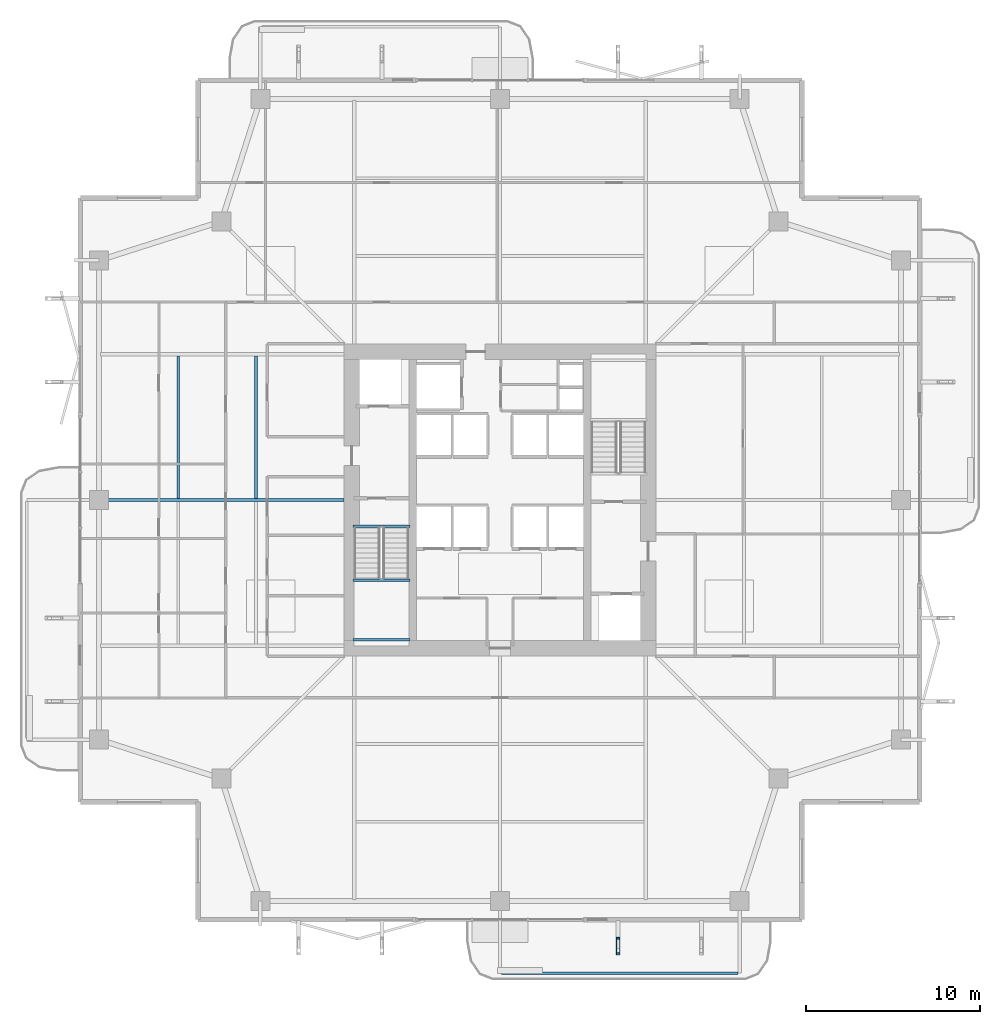
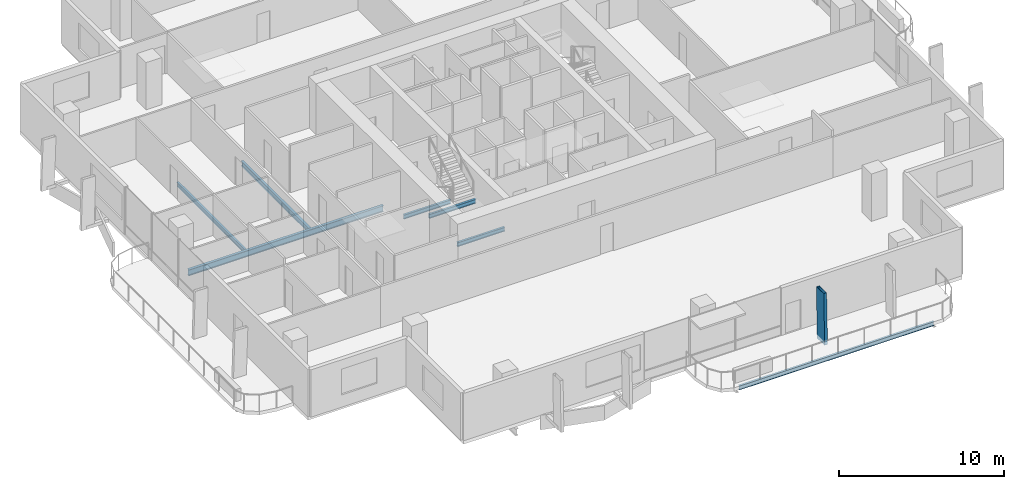
# One storey, part 7 of 25: 7 beams, 1 member.
"""IFC4 building model written with IfcOpenShell, lengths in metres."""

import ifcopenshell
import ifcopenshell.guid

model = None  # the IFC model being written
_history = None  # IfcOwnerHistory: only IFC2X3 demands one
_inside = {}  # id of a spatial element -> (the spatial element, [elements in it])
_under = {}  # id of a project, library or spatial element -> (it, [spatial elements below it])
_declared = {}  # id of a project -> (the project, [libraries it declares])
_typed = {}  # id of a type object -> (the type object, [elements of that type])
_made_of = {}  # id of a material, layer set ... -> (it, [elements and type objects made of it])


def new_model(schema):
    """Start an empty IFC model of exactly this schema.

    Asked for "IFC4X3", IfcOpenShell would pick the latest addendum, in which some entities
    have other attributes; the version numbers below select the first issue.
    IFC2X3 requires an IfcOwnerHistory on every rooted entity: one is made here for all.
    """
    global model, _history
    if schema == "IFC4X3":
        model = ifcopenshell.file(schema_version=(4, 3, 0, 0))
    else:
        model = ifcopenshell.file(schema=schema)
    _inside.clear()
    _under.clear()
    _declared.clear()
    _typed.clear()
    _made_of.clear()
    _history = None
    if model.schema == "IFC2X3":
        org = make("IfcOrganization", Name="unknown")
        user = make(
            "IfcPersonAndOrganization",
            ThePerson=make("IfcPerson", FamilyName="unknown"),
            TheOrganization=org,
        )
        app = make(
            "IfcApplication",
            ApplicationDeveloper=org,
            Version="unknown",
            ApplicationFullName="unknown",
            ApplicationIdentifier="unknown",
        )
        _history = make(
            "IfcOwnerHistory",
            OwningUser=user,
            OwningApplication=app,
            ChangeAction="ADDED",
            CreationDate=0,
        )
    return model


def make(cls, **values):
    """One entity of the class cls with the attributes given. An attribute that is None is left unset."""
    return model.create_entity(
        cls, **{name: value for name, value in values.items() if value is not None}
    )


def rooted(cls, **values):
    """An entity with a GlobalId (a new one), such as an element, a storey or a relation."""
    return make(cls, GlobalId=ifcopenshell.guid.new(), OwnerHistory=_history, **values)


def si_unit(unit_type, name, prefix=None):
    """IfcSIUnit, for example si_unit("LENGTHUNIT", "METRE", prefix="MILLI")."""
    return make("IfcSIUnit", UnitType=unit_type, Prefix=prefix, Name=name)


def assignment(units):
    """IfcUnitAssignment: the units of a project."""
    return None if units is None else make("IfcUnitAssignment", Units=units)


def point(xyz):
    """IfcCartesianPoint."""
    return None if xyz is None else make("IfcCartesianPoint", Coordinates=xyz)


def direction(xyz):
    """IfcDirection."""
    return None if xyz is None else make("IfcDirection", DirectionRatios=xyz)


def frame(location, z_axis=None, x_axis=None):
    """IfcAxis2Placement3D, a coordinate frame: its origin and axes. An axis left out is left unset."""
    return make(
        "IfcAxis2Placement3D",
        Location=point(location),
        Axis=direction(z_axis),
        RefDirection=direction(x_axis),
    )


def frame_2d(location, x_axis=None):
    """IfcAxis2Placement2D, a coordinate frame in the plane: its origin and x axis."""
    return make(
        "IfcAxis2Placement2D", Location=point(location), RefDirection=direction(x_axis)
    )


def origin():
    """The frame at (0, 0, 0) with its axes left unset."""
    return frame((0.0, 0.0, 0.0))


def origin_2d():
    """The frame at (0, 0) in the plane with its x axis left unset."""
    return frame_2d((0.0, 0.0))


def place(relative_to, where):
    """IfcLocalPlacement: puts the frame where relative to a parent placement (None: the world)."""
    return make(
        "IfcLocalPlacement", PlacementRelTo=relative_to, RelativePlacement=where
    )


def context(
    kind, dimensions, precision=None, world=None, true_north=None, identifier=None
):
    """IfcGeometricRepresentationContext, for example the 3D "Model" context."""
    return make(
        "IfcGeometricRepresentationContext",
        ContextIdentifier=identifier,
        ContextType=kind,
        CoordinateSpaceDimension=dimensions,
        Precision=precision,
        WorldCoordinateSystem=world,
        TrueNorth=true_north,
    )


def subcontext(parent, identifier, kind, view, scale=None):
    """IfcGeometricRepresentationSubContext, for example "Body" below "Model"."""
    return make(
        "IfcGeometricRepresentationSubContext",
        ContextIdentifier=identifier,
        ContextType=kind,
        ParentContext=parent,
        TargetScale=scale,
        TargetView=view,
    )


def project(units=None, contexts=None):
    """IfcProject with its units and contexts."""
    return rooted(
        "IfcProject",
        Name="project",
        RepresentationContexts=contexts,
        UnitsInContext=assignment(units),
    )


def spatial(cls, under=None, at=None, **own):
    """A site, building, storey or space (cls), placed at a placement, below another one or the project."""
    s = rooted(cls, ObjectPlacement=at, **own)
    if under is not None:
        _under.setdefault(under.id(), (under, []))[1].append(s)
    return s


def profile(cls, at=None, kind="AREA", **sizes):
    """A parametric profile (cls). Its sizes go by their IFC names, for example OverallWidth=200.0."""
    return make(cls, ProfileType=kind, Position=at, **sizes)


def hollow_rectangle(**sizes):
    """IfcRectangleHollowProfileDef."""
    return profile("IfcRectangleHollowProfileDef", **sizes)


def i_section(**sizes):
    """IfcIShapeProfileDef."""
    return profile("IfcIShapeProfileDef", **sizes)


def extrude(swept, where, along, depth):
    """IfcExtrudedAreaSolid: the profile swept, set in the frame where, extruded along a direction by depth."""
    return make(
        "IfcExtrudedAreaSolid",
        SweptArea=swept,
        Position=where,
        ExtrudedDirection=direction(along),
        Depth=depth,
    )


def shape(context_of_items, identifier, shape_type, items):
    """IfcShapeRepresentation: the items that make up one representation, for example the "Body"."""
    return make(
        "IfcShapeRepresentation",
        ContextOfItems=context_of_items,
        RepresentationIdentifier=identifier,
        RepresentationType=shape_type,
        Items=items,
    )


def material(Name=None, Category=None):
    """IfcMaterial."""
    return make("IfcMaterial", Name=Name, Category=Category)


def material_profile(
    of_material, cross_section, Name=None, Category=None, Priority=None
):
    """IfcMaterialProfile: a cross section and its material."""
    return make(
        "IfcMaterialProfile",
        Name=Name,
        Material=of_material,
        Profile=cross_section,
        Priority=Priority,
        Category=Category,
    )


def profile_set(profiles, Name=None, composite=None):
    """IfcMaterialProfileSet."""
    return make(
        "IfcMaterialProfileSet",
        Name=Name,
        MaterialProfiles=profiles,
        CompositeProfile=composite,
    )


def made_of(thing, what):
    """Note that an element or type object is made of a material, layer set ...; save() writes the relation."""
    if what is not None:
        _made_of.setdefault(what.id(), (what, []))[1].append(thing)
    return thing


def type_object(cls, material=None, **own):
    """A type object (cls), such as IfcWallType, which elements share."""
    return made_of(rooted(cls, **own), material)


def element(
    cls,
    number,
    at=None,
    inside=None,
    cuts=None,
    type_object=None,
    material=None,
    context=None,
    identifier="Body",
    shape_type=None,
    held_by="IfcProductDefinitionShape",
    body=None,
    shapes=None,
    **own,
):
    """One element of the class cls, such as IfcWall. Its Tag is "e" and its number.

    at: its placement. inside: the storey or other place that contains it. cuts: it is an
    opening in that element (IfcRelVoidsElement). A single representation is given by context,
    identifier, shape_type and body (its items); several are given by shapes. held_by: the class
    of the entity that holds the representations. save() writes the other relations.
    """
    e = rooted(cls, Tag="e%d" % number, ObjectPlacement=at, **own)
    if body is not None:
        shapes = [shape(context, identifier, shape_type, body)]
    if shapes is not None:
        e.Representation = make(held_by, Representations=shapes)
    if inside is not None:
        _inside.setdefault(inside.id(), (inside, []))[1].append(e)
    if cuts is not None:
        rooted(
            "IfcRelVoidsElement", RelatingBuildingElement=cuts, RelatedOpeningElement=e
        )
    if type_object is not None:
        _typed.setdefault(type_object.id(), (type_object, []))[1].append(e)
    return made_of(e, material)


def aggregate(whole, parts):
    """IfcRelAggregates: a whole, such as a stair, and the parts it consists of."""
    return rooted("IfcRelAggregates", RelatingObject=whole, RelatedObjects=parts)


def save(model, path):
    """Write the relations noted so far, then the file.

    IfcRelAggregates (storeys below a building ...), IfcRelContainedInSpatialStructure (elements
    in a storey), IfcRelDefinesByType, IfcRelAssociatesMaterial and IfcRelDeclares: one each for
    every whole, place, type object, material and project.
    """
    for whole, parts in _under.values():
        aggregate(whole, parts)
    for where, things in _inside.values():
        rooted(
            "IfcRelContainedInSpatialStructure",
            RelatedElements=things,
            RelatingStructure=where,
        )
    for kind, things in _typed.values():
        rooted("IfcRelDefinesByType", RelatedObjects=things, RelatingType=kind)
    for what, things in _made_of.values():
        rooted("IfcRelAssociatesMaterial", RelatedObjects=things, RelatingMaterial=what)
    for by, libraries in _declared.values():
        rooted("IfcRelDeclares", RelatingContext=by, RelatedDefinitions=libraries)
    model.write(path)


model = new_model("IFC4")

# Units and contexts
model_context = context("Model", 3, precision=1e-05, world=origin(), true_north=direction((0.0, 1.0)))
body_context = subcontext(model_context, "Body", "Model", "MODEL_VIEW")
ifc_project = project(units=[si_unit("LENGTHUNIT", "METRE"), si_unit("AREAUNIT", "SQUARE_METRE"), si_unit("VOLUMEUNIT", "CUBIC_METRE"), si_unit("PLANEANGLEUNIT", "RADIAN"), si_unit("MASSUNIT", "GRAM", prefix="KILO")], contexts=[model_context])

# Site, building, storey
site_placement = place(None, origin())
site = spatial("IfcSite", under=ifc_project, at=site_placement, CompositionType="ELEMENT")
building_placement = place(site_placement, origin())
building = spatial("IfcBuilding", under=site, at=building_placement, Name="Belovzor Exchange Tower", CompositionType="ELEMENT")
storey_placement = place(building_placement, frame((0.0, 0.0, 153.300048828125)))
storey = spatial("IfcBuildingStorey", under=building, at=storey_placement, Name="L37", CompositionType="ELEMENT", Elevation=153.300048828125)

# Beams
ifc_material_1 = material(Name="Steel S355", Category="steel")
ifc_material_profile_1 = material_profile(ifc_material_1, i_section(OverallWidth=0.14990234375, OverallDepth=0.300048828125, WebThickness=0.007080078125, FlangeThickness=0.0107421875, at=origin_2d()))
ifc_profile_set_1 = profile_set([ifc_material_profile_1], Name="Steel S355")
beam_type_1 = type_object("IfcBeamType", Name="Planted Balcony Fascia Edge Beam IPE 300", PredefinedType="BEAM", material=ifc_profile_set_1)
beam_1_placement = place(storey_placement, frame((28.89990234375, 1.547119140625, -0.405029296875), z_axis=(1.0, 0.0, 0.0), x_axis=(0.0, 1.0, 0.0)))
element("IfcBeam", 1, at=beam_1_placement, inside=storey, type_object=beam_type_1, Name="BC-300 Planted Balcony Fascia Edge Beam IPE 300", PredefinedType="BEAM", context=body_context, shape_type="SweptSolid", body=[
    extrude(i_section(OverallWidth=0.14990234375, OverallDepth=0.300048828125, WebThickness=0.007080078125, FlangeThickness=0.0107421875, at=origin_2d()), origin(), (0.0, 0.0, 1.0), 13.60009765625),
])
ifc_material_2 = material(Name="Steel S355", Category="steel")
ifc_material_profile_2 = material_profile(ifc_material_2, i_section(OverallWidth=0.169921875, OverallDepth=0.360107421875, WebThickness=0.008056640625, FlangeThickness=0.0126953125, at=origin_2d()))
ifc_profile_set_2 = profile_set([ifc_material_profile_2], Name="Steel S355")
beam_type_2 = type_object("IfcBeamType", Name="Secondary Infill Floor Joist IPE 360", PredefinedType="BEAM", material=ifc_profile_set_2)
beam_2_placement = place(storey_placement, frame((14.7509765625, 28.89501953125, -0.43505859375), z_axis=(0.0, 1.0, 0.0), x_axis=(-1.0, 0.0, 0.0)))
element("IfcBeam", 2, at=beam_2_placement, inside=storey, type_object=beam_type_2, Name="FJ-360 Secondary Infill Floor Joist IPE 360", PredefinedType="BEAM", context=body_context, shape_type="SweptSolid", body=[
    extrude(i_section(OverallWidth=0.169921875, OverallDepth=0.360107421875, WebThickness=0.008056640625, FlangeThickness=0.0126953125, at=origin_2d()), origin(), (0.0, 0.0, 1.0), 8.2099609375),
])
ifc_material_3 = material(Name="Steel S355", Category="steel")
ifc_material_profile_3 = material_profile(ifc_material_3, i_section(OverallWidth=0.14990234375, OverallDepth=0.300048828125, WebThickness=0.007080078125, FlangeThickness=0.0107421875, at=origin_2d()))
ifc_profile_set_3 = profile_set([ifc_material_profile_3], Name="Steel S355")
beam_type_3 = type_object("IfcBeamType", Name="Secondary Trim Floor Joist IPE 300", PredefinedType="BEAM", material=ifc_profile_set_3)
for number, where, z_axis, x_axis, name in (
    (3, (20.320068359375, 24.179931640625, 1.52490234375), (1.0, 0.0, 0.0), (0.0, 1.0, 0.0), "FJ-300 Secondary Trim Floor Joist IPE 300"),
    (4, (20.320068359375, 20.75, 1.52490234375), (1.0, 0.0, 0.0), (0.0, 1.0, 0.0), "FJ-300 Secondary Trim Floor Joist IPE 300"),
):
    element("IfcBeam", number, at=place(storey_placement, frame(where, z_axis=z_axis, x_axis=x_axis)), inside=storey, type_object=beam_type_3, Name=name, PredefinedType="BEAM", context=body_context, shape_type="SweptSolid", body=[
        extrude(i_section(OverallWidth=0.14990234375, OverallDepth=0.300048828125, WebThickness=0.007080078125, FlangeThickness=0.0107421875, at=origin_2d()), origin(), (0.0, 0.0, 1.0), 3.309814453125),
    ])
beam_3_placement = place(storey_placement, frame((20.340087890625, 27.280029296875, -0.405029296875), z_axis=(1.0, 0.0, 0.0), x_axis=(0.0, 1.0, 0.0)))
element("IfcBeam", 5, at=beam_3_placement, inside=storey, type_object=beam_type_3, Name="FJ-300 Secondary Trim Floor Joist IPE 300", PredefinedType="BEAM", context=body_context, shape_type="SweptSolid", body=[
    extrude(i_section(OverallWidth=0.14990234375, OverallDepth=0.300048828125, WebThickness=0.007080078125, FlangeThickness=0.0107421875, at=origin_2d()), origin(), (0.0, 0.0, 1.0), 3.27001953125),
])
beam_4_placement = place(storey_placement, frame((10.262939453125, 28.89501953125, -0.405029296875), z_axis=(0.0, 1.0, 0.0), x_axis=(-1.0, 0.0, 0.0)))
element("IfcBeam", 6, at=beam_4_placement, inside=storey, type_object=beam_type_3, Name="FJ-300 Secondary Trim Floor Joist IPE 300", PredefinedType="BEAM", context=body_context, shape_type="SweptSolid", body=[
    extrude(i_section(OverallWidth=0.14990234375, OverallDepth=0.300048828125, WebThickness=0.007080078125, FlangeThickness=0.0107421875, at=origin_2d()), origin(), (0.0, 0.0, 1.0), 8.2099609375),
])

# Member
ifc_material_4 = material(Name="Extruded Architectural Terracotta on Steel S355 Carrier", Category="masonry")
ifc_material_profile_4 = material_profile(ifc_material_4, hollow_rectangle(XDim=0.199951171875, YDim=0.89990234375, WallThickness=0.011962890625, at=origin_2d()))
ifc_profile_set_4 = profile_set([ifc_material_profile_4], Name="Extruded Architectural Terracotta on Steel S355 Carrier")
member_type = type_object("IfcMemberType", Name="Sweeping Terracotta Baguette Fin Assembly 1250", PredefinedType="USERDEFINED", material=ifc_profile_set_4)
member_placement = place(storey_placement, frame((35.60009765625, 3.049072265625, -0.255126953125), z_axis=(0.0, 0.028764134908, 0.999586226667), x_axis=(-1.0, 0.0, 0.0)))
element("IfcMember", 7, at=member_placement, inside=storey, type_object=member_type, Name="FIN-TC125 Terracotta Facade Fin L37 S3", ObjectType="FIN", PredefinedType="USERDEFINED", context=body_context, shape_type="SweptSolid", body=[
    extrude(hollow_rectangle(XDim=0.199951171875, YDim=0.89990234375, WallThickness=0.011962890625, at=origin_2d()), origin(), (0.0, 0.0, 1.0), 3.75146484375),
])

# Beam
ifc_material_5 = material(Name="Steel S355", Category="steel")
ifc_material_profile_5 = material_profile(ifc_material_5, i_section(OverallWidth=0.18994140625, OverallDepth=0.449951171875, WebThickness=0.009521484375, FlangeThickness=0.0146484375, at=origin_2d()))
ifc_profile_set_5 = profile_set([ifc_material_profile_5], Name="Steel S355")
beam_type_4 = type_object("IfcBeamType", Name="Zone 2-4 Radial Composite Floor Beam IPE 450", PredefinedType="BEAM", material=ifc_profile_set_5)
beam_5_placement = place(storey_placement, frame((19.800048828125, 28.800048828125, -0.47998046875), z_axis=(-1.0, 0.0, 0.0), x_axis=(0.0, -1.0, 0.0)))
element("IfcBeam", 8, at=beam_5_placement, inside=storey, type_object=beam_type_4, Name="FB-450 Zone 2-4 Radial Composite Floor Beam IPE 450", PredefinedType="BEAM", context=body_context, shape_type="SweptSolid", body=[
    extrude(i_section(OverallWidth=0.18994140625, OverallDepth=0.449951171875, WebThickness=0.009521484375, FlangeThickness=0.0146484375, at=origin_2d()), origin(), (0.0, 0.0, 1.0), 13.615966796875),
])

save(model, "model.ifc")
